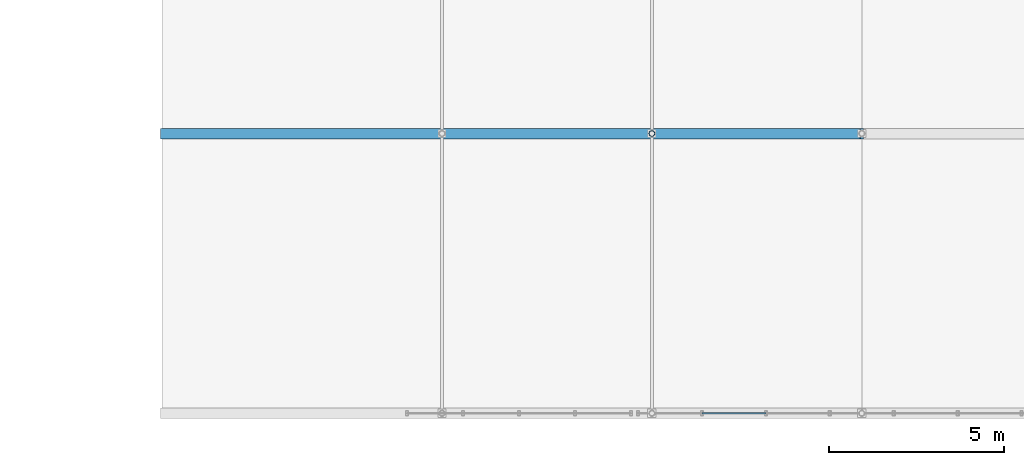
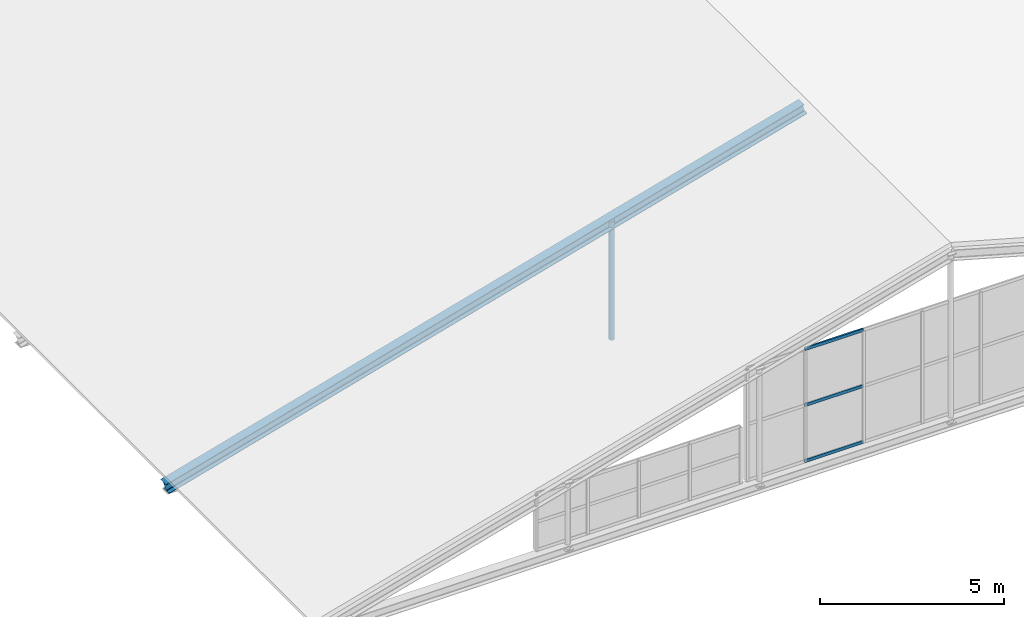
# One storey, part 6 of 49: 5 members, 1 element without a shape of its own.
"""IFC4 building model written with IfcOpenShell, lengths in metres."""

from ifc_helpers import new_model, si_unit, direction, frame, origin, origin_2d, place, context, subcontext, project, spatial, hollow_rectangle, hollow_circle, i_section, extrude, material, material_profile, profile_set, type_object, element, aggregate, save


model = new_model("IFC4")

# Units and contexts
model_context = context("Model", 3, precision=1e-05, world=origin(), true_north=direction((0.0, 1.0)))
body_context = subcontext(model_context, "Body", "Model", "MODEL_VIEW")
ifc_project = project(units=[si_unit("LENGTHUNIT", "METRE"), si_unit("AREAUNIT", "SQUARE_METRE"), si_unit("VOLUMEUNIT", "CUBIC_METRE"), si_unit("PLANEANGLEUNIT", "RADIAN"), si_unit("MASSUNIT", "GRAM", prefix="KILO")], contexts=[model_context])

# Site, building, storey
site_placement = place(None, origin())
site = spatial("IfcSite", under=ifc_project, at=site_placement, CompositionType="ELEMENT")
building_placement = place(site_placement, origin())
building = spatial("IfcBuilding", under=site, at=building_placement, Name="Sundkrona Museum", CompositionType="ELEMENT")
storey_placement = place(building_placement, frame((0.0, 0.0, 26.0)))
storey = spatial("IfcBuildingStorey", under=building, at=storey_placement, Name="L05", CompositionType="ELEMENT", Elevation=26.0)

# Members
ifc_material_1 = material(Name="Steel S355J2", Category="steel")
ifc_material_profile_1 = material_profile(ifc_material_1, hollow_circle(Radius=0.084228515625, WallThickness=0.008056640625, at=origin_2d()), Name="CHS 168.3x8.0")
ifc_profile_set_1 = profile_set([ifc_material_profile_1], Name="Steel S355J2")
member_type_1 = type_object("IfcMemberType", Name="ST-CHS168", PredefinedType="STRUT", material=ifc_profile_set_1)
member_1_placement = place(storey_placement, frame((94.0, 8.0, -0.39990234375), z_axis=(0.0, 0.0, 1.0), x_axis=(1.0, 0.0, 0.0)))
element("IfcMember", 1, at=member_1_placement, inside=storey, type_object=member_type_1, Name="RFS-1 Atrium Truss 2 Web Strut 94", PredefinedType="STRUT", context=body_context, shape_type="SweptSolid", body=[
    extrude(hollow_circle(Radius=0.084228515625, WallThickness=0.008056640625, at=origin_2d()), origin(), (0.0, 0.0, 1.0), 3.915771484375),
])
ifc_material_profile_2 = material_profile(ifc_material_1, i_section(OverallWidth=0.300048828125, OverallDepth=0.35009765625, WebThickness=0.010009765625, FlangeThickness=0.017578125, FilletRadius=0.027099609375, at=origin_2d()), Name="HEA 360")
ifc_profile_set_2 = profile_set([ifc_material_profile_2], Name="Steel S355J2")
member_type_2 = type_object("IfcMemberType", Name="TC-HEA360", PredefinedType="CHORD", material=ifc_profile_set_2)
member_2_placement = place(storey_placement, frame((80.0, 8.0, -0.39990234375), z_axis=(0.963039069801, 0.0, 0.269361745683), x_axis=(0.0, 1.0, 0.0)))
element("IfcMember", 2, at=member_2_placement, inside=storey, type_object=member_type_2, Name="RFS-1 Atrium Truss 2 West Rafter Chord", PredefinedType="CHORD", context=body_context, shape_type="SweptSolid", body=[
    extrude(i_section(OverallWidth=0.300048828125, OverallDepth=0.35009765625, WebThickness=0.010009765625, FlangeThickness=0.017578125, FilletRadius=0.027099609375, at=origin_2d()), origin(), (0.0, 0.0, 1.0), 20.767578125),
])

# Curtain wall, members
ifc_material_2 = material(Name="Unitised Aluminium-Steel and Ceramic-Clad Curtain Walling", Category="steel")
curtain_wall_type = type_object("IfcCurtainWallType", Name="CW-SW-240x13", PredefinedType="NOTDEFINED", material=ifc_material_2)
curtain_wall_placement = place(storey_placement, origin())
curtain_wall = element("IfcCurtainWall", 3, at=curtain_wall_placement, inside=storey, type_object=curtain_wall_type, Name="Atrium S Glazed Gable Tympanum 3", PredefinedType="NOTDEFINED")
ifc_material_3 = material(Name="Aluminium EN AW-6060 T66", Category="aluminium")
ifc_material_profile_3 = material_profile(ifc_material_3, hollow_rectangle(XDim=0.050048828125, YDim=0.10009765625, WallThickness=0.0048828125, at=origin_2d()), Name="RHS 100x50x5.0")
ifc_profile_set_3 = profile_set([ifc_material_profile_3], Name="Aluminium EN AW-6060 T66")
member_type_3 = type_object("IfcMemberType", Name="TR-100", PredefinedType="USERDEFINED", material=ifc_profile_set_3)
member_3_placement = place(storey_placement, frame((95.4287109375, 0.0, -0.10009765625), z_axis=(1.0, 0.0, 0.0), x_axis=(0.0, 1.0, 0.0)))
member_3 = element("IfcMember", 4, at=member_3_placement, type_object=member_type_3, Name="CW-ATR-GBL-S3 Transom 04", ObjectType="TRANSOM", PredefinedType="USERDEFINED", context=body_context, shape_type="SweptSolid", body=[
    extrude(hollow_rectangle(XDim=0.050048828125, YDim=0.10009765625, WallThickness=0.0048828125, at=origin_2d()), origin(), (0.0, 0.0, 1.0), 1.828369140625),
])
member_4_placement = place(storey_placement, frame((95.4287109375, 0.0, 1.7529296875), z_axis=(1.0, 0.0, 0.0), x_axis=(0.0, 1.0, 0.0)))
member_4 = element("IfcMember", 5, at=member_4_placement, type_object=member_type_3, Name="CW-ATR-GBL-S3 Transom 05", ObjectType="TRANSOM", PredefinedType="USERDEFINED", context=body_context, shape_type="SweptSolid", body=[
    extrude(hollow_rectangle(XDim=0.050048828125, YDim=0.10009765625, WallThickness=0.0048828125, at=origin_2d()), origin(), (0.0, 0.0, 1.0), 1.828369140625),
])
member_5_placement = place(storey_placement, frame((95.4287109375, 0.0, 3.60693359375), z_axis=(1.0, 0.0, 0.0), x_axis=(0.0, 1.0, 0.0)))
member_5 = element("IfcMember", 6, at=member_5_placement, type_object=member_type_3, Name="CW-ATR-GBL-S3 Transom 06", ObjectType="TRANSOM", PredefinedType="USERDEFINED", context=body_context, shape_type="SweptSolid", body=[
    extrude(hollow_rectangle(XDim=0.050048828125, YDim=0.10009765625, WallThickness=0.0048828125, at=origin_2d()), origin(), (0.0, 0.0, 1.0), 1.828369140625),
])
aggregate(curtain_wall, [member_3, member_4, member_5])

save(model, "model.ifc")
